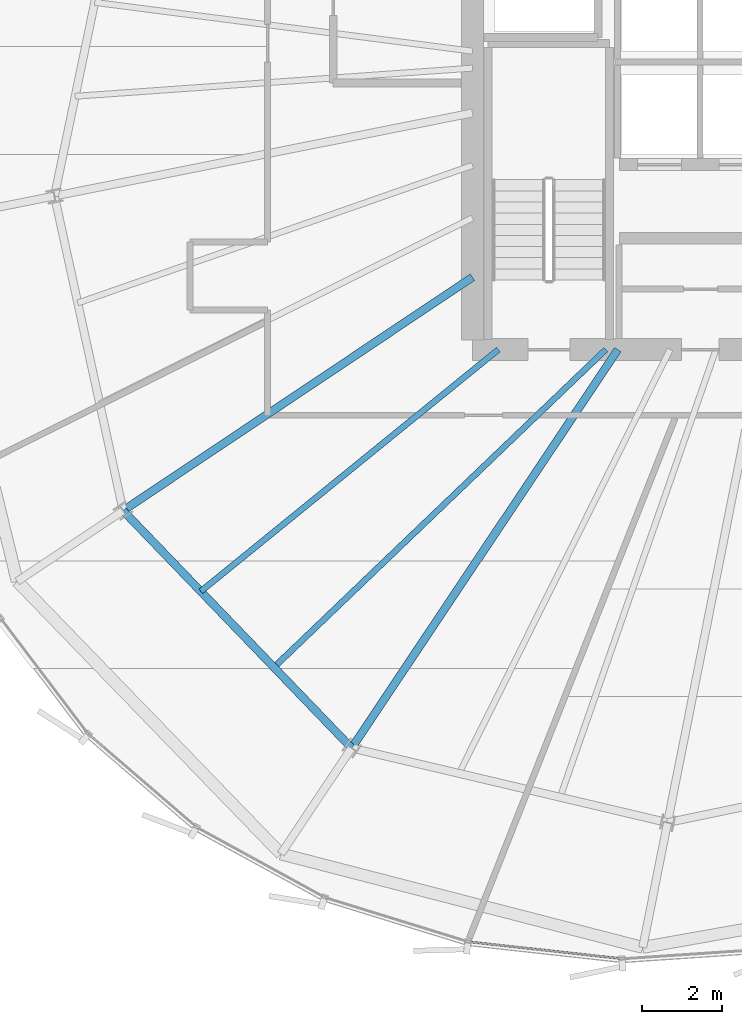
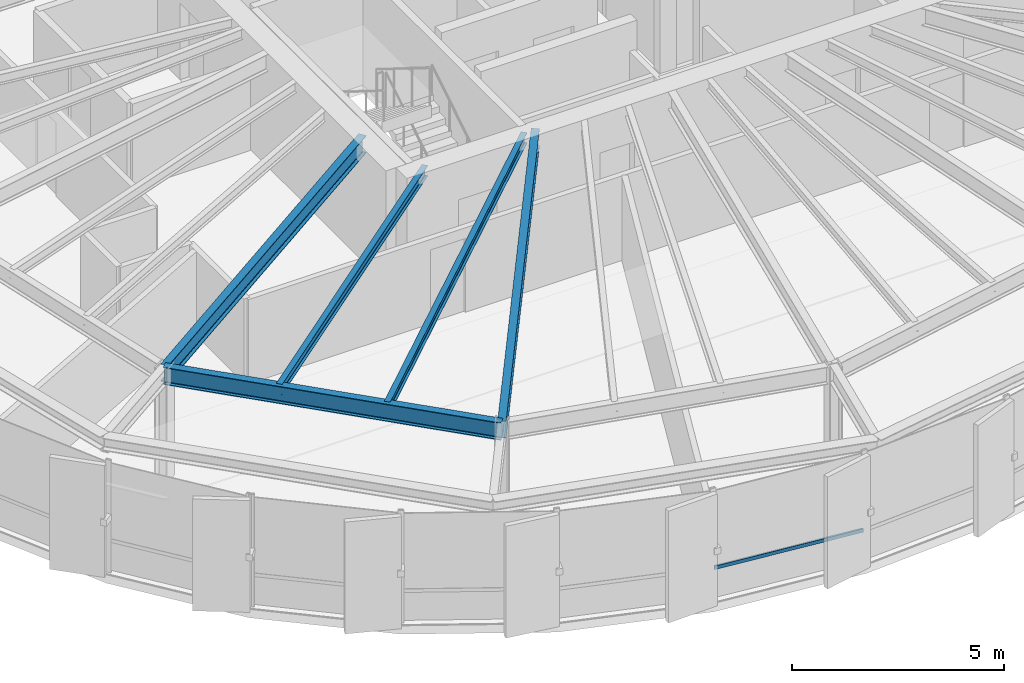
# One storey, part 5 of 34: 5 beams, 1 member, 1 element without a shape of its own.
"""IFC4 building model written with IfcOpenShell, lengths in metres."""

from ifc_helpers import new_model, si_unit, direction, frame, origin, origin_2d, place, context, subcontext, project, spatial, hollow_rectangle, i_section, extrude, source, transform, mapped, material, layer, layer_set, material_profile, profile_set, type_object, element, aggregate, save


model = new_model("IFC4")

# Units and contexts
model_context = context("Model", 3, precision=1e-05, world=origin(), true_north=direction((0.0, 1.0)))
body_context = subcontext(model_context, "Body", "Model", "MODEL_VIEW")
ifc_project = project(units=[si_unit("LENGTHUNIT", "METRE"), si_unit("AREAUNIT", "SQUARE_METRE"), si_unit("VOLUMEUNIT", "CUBIC_METRE"), si_unit("PLANEANGLEUNIT", "RADIAN"), si_unit("MASSUNIT", "GRAM", prefix="KILO"), si_unit("THERMODYNAMICTEMPERATUREUNIT", "KELVIN")], contexts=[model_context])

# Site, building, storey
site_placement = place(None, origin())
site = spatial("IfcSite", under=ifc_project, at=site_placement, CompositionType="ELEMENT")
building_placement = place(site_placement, origin())
building = spatial("IfcBuilding", under=site, at=building_placement, Name="Kethvar Cultural Tower", CompositionType="ELEMENT")
storey_placement = place(building_placement, frame((0.0, 0.0, 207.89990234375)))
storey = spatial("IfcBuildingStorey", under=building, at=storey_placement, Name="L54", CompositionType="ELEMENT", Elevation=207.89990234375)

# Beams
ifc_material_1 = material(Name="Steel S355J2", Category="steel")
ifc_material_profile_1 = material_profile(ifc_material_1, i_section(OverallWidth=0.199951171875, OverallDepth=0.5, WebThickness=0.01025390625, FlangeThickness=0.01611328125, FilletRadius=0.02099609375, at=origin_2d()), Name="Steel S355J2 — IPE500")
ifc_profile_set_1 = profile_set([ifc_material_profile_1], Name="Steel S355J2 — IPE500")
beam_type_1 = type_object("IfcBeamType", Name="BM-IPE500", PredefinedType="BEAM", material=ifc_profile_set_1)
shared_shape_1 = source(origin(), body_context, "Body", "SweptSolid", [
    extrude(i_section(OverallWidth=0.199951171875, OverallDepth=0.5, WebThickness=0.01025390625, FlangeThickness=0.01611328125, FilletRadius=0.02099609375, at=origin_2d()), origin(), (0.0, 0.0, 1.0), 10.562744140625),
])
beam_1_placement = place(storey_placement, frame((38.0, 21.920166015625, 3.008056640625), z_axis=(-0.831463100754, -0.555579978117, 0.0), x_axis=(0.555579978117, -0.831463100754, 0.0)))
element("IfcBeam", 1, at=beam_1_placement, inside=storey, type_object=beam_type_1, Name="L54 Primary Radial Beam RB-10", PredefinedType="BEAM", context=body_context, shape_type="MappedRepresentation", body=[
    mapped(shared_shape_1, transform((0.0, 0.0, 0.0), scale=1.0)),
])
shared_shape_2 = source(origin(), body_context, "Body", "SweptSolid", [
    extrude(i_section(OverallWidth=0.199951171875, OverallDepth=0.5, WebThickness=0.01025390625, FlangeThickness=0.01611328125, FilletRadius=0.02099609375, at=origin_2d()), origin(), (0.0, 0.0, 1.0), 12.0458984375),
])
beam_2_placement = place(storey_placement, frame((41.655029296875, 20.10009765625, 3.008056640625), z_axis=(-0.555569831996, -0.831469880258, 0.0), x_axis=(0.831469880258, -0.555569831996, 0.0)))
element("IfcBeam", 2, at=beam_2_placement, inside=storey, type_object=beam_type_1, Name="L54 Primary Radial Beam RB-11", PredefinedType="BEAM", context=body_context, shape_type="MappedRepresentation", body=[
    mapped(shared_shape_2, transform((0.0, 0.0, 0.0), scale=1.0)),
])
shared_shape_3 = source(origin(), body_context, "Body", "SweptSolid", [
    extrude(i_section(OverallWidth=0.199951171875, OverallDepth=0.5, WebThickness=0.01025390625, FlangeThickness=0.01611328125, FilletRadius=0.02099609375, at=origin_2d()), origin(), (0.0, 0.0, 1.0), 8.28369140625),
])
beam_3_placement = place(storey_placement, frame((29.217529296875, 16.0517578125, 3.008056640625), z_axis=(0.693554459208, -0.72040420051, 0.0), x_axis=(0.72040420051, 0.693554459208, 0.0)))
element("IfcBeam", 3, at=beam_3_placement, inside=storey, type_object=beam_type_1, Name="L54 Column Ring Tie Beam CR-10", PredefinedType="BEAM", context=body_context, shape_type="MappedRepresentation", body=[
    mapped(shared_shape_3, transform((0.0, 0.0, 0.0), scale=1.0)),
])
ifc_material_profile_2 = material_profile(ifc_material_1, i_section(OverallWidth=0.14990234375, OverallDepth=0.300048828125, WebThickness=0.007080078125, FlangeThickness=0.0107421875, FilletRadius=0.014892578125, at=origin_2d()), Name="Steel S355J2 — IPE300")
ifc_profile_set_2 = profile_set([ifc_material_profile_2], Name="Steel S355J2 — IPE300")
beam_type_2 = type_object("IfcBeamType", Name="BM-J300", PredefinedType="JOIST", material=ifc_profile_set_2)
shared_shape_4 = source(origin(), body_context, "Body", "SweptSolid", [
    extrude(i_section(OverallWidth=0.14990234375, OverallDepth=0.300048828125, WebThickness=0.007080078125, FlangeThickness=0.0107421875, FilletRadius=0.014892578125, at=origin_2d()), origin(), (0.0, 0.0, 1.0), 9.63671875),
])
beam_4_placement = place(storey_placement, frame((38.64990234375, 20.10009765625, 3.108154296875), z_axis=(-0.776090751649, -0.630621237515, 0.0), x_axis=(0.630621237515, -0.776090751649, 0.0)))
element("IfcBeam", 4, at=beam_4_placement, inside=storey, type_object=beam_type_2, Name="L54 Composite Floor Joist J-10A", PredefinedType="JOIST", context=body_context, shape_type="MappedRepresentation", body=[
    mapped(shared_shape_4, transform((0.0, 0.0, 0.0), scale=1.0)),
])
shared_shape_5 = source(origin(), body_context, "Body", "SweptSolid", [
    extrude(i_section(OverallWidth=0.14990234375, OverallDepth=0.300048828125, WebThickness=0.007080078125, FlangeThickness=0.0107421875, FilletRadius=0.014892578125, at=origin_2d()), origin(), (0.0, 0.0, 1.0), 11.548095703125),
])
beam_5_placement = place(storey_placement, frame((41.35009765625, 20.10009765625, 3.108154296875), z_axis=(-0.722268013472, -0.691613271067, 0.0), x_axis=(0.691613271067, -0.722268013472, 0.0)))
element("IfcBeam", 5, at=beam_5_placement, inside=storey, type_object=beam_type_2, Name="L54 Composite Floor Joist J-10B", PredefinedType="JOIST", context=body_context, shape_type="MappedRepresentation", body=[
    mapped(shared_shape_5, transform((0.0, 0.0, 0.0), scale=1.0)),
])

# Curtain wall, member
ifc_material_2 = material(Name="Aluminium 6063-T6", Category="aluminium")
ifc_layer = layer(ifc_material_2, 0.179931640625, Name="Aluminium 6063-T6", Category="aluminium")
ifc_layer_set = layer_set([ifc_layer], Name="Aluminium 6063-T6 (180 mm)")
curtain_wall_type = type_object("IfcCurtainWallType", Name="CW-SYS-04-Z34", PredefinedType="NOTDEFINED", material=ifc_layer_set)
curtain_wall_placement = place(storey_placement, origin())
curtain_wall = element("IfcCurtainWall", 6, at=curtain_wall_placement, inside=storey, type_object=curtain_wall_type, Name="L54 Curtain Wall Run 04", PredefinedType="NOTDEFINED")
ifc_material_profile_3 = material_profile(ifc_material_2, hollow_rectangle(XDim=0.050048828125, YDim=0.10009765625, WallThickness=0.00390625, at=origin_2d()), Name="Aluminium 6063-T6 — RHS100x50x4")
ifc_profile_set_3 = profile_set([ifc_material_profile_3], Name="Aluminium 6063-T6 — RHS100x50x4")
member_type = type_object("IfcMemberType", Name="CW-SYS-04-Z34-TRN", PredefinedType="USERDEFINED", material=ifc_profile_set_3)
shared_shape_6 = source(origin(), body_context, "Body", "SweptSolid", [
    extrude(hollow_rectangle(XDim=0.050048828125, YDim=0.10009765625, WallThickness=0.00390625, at=origin_2d()), origin(), (0.0, 0.0, 1.0), 3.83154296875),
])
member_placement = place(storey_placement, frame((37.928955078125, 5.212158203125, 0.9501953125), z_axis=(0.993968915042, -0.109662190063, 0.0), x_axis=(0.109662190063, 0.993968915042, 0.0)))
member = element("IfcMember", 7, at=member_placement, type_object=member_type, Name="CW-L54-R04 Transom 4", ObjectType="TRANSOM", PredefinedType="USERDEFINED", context=body_context, shape_type="MappedRepresentation", body=[
    mapped(shared_shape_6, transform((0.0, 0.0, 0.0), scale=1.0)),
])
aggregate(curtain_wall, [member])

save(model, "model.ifc")
